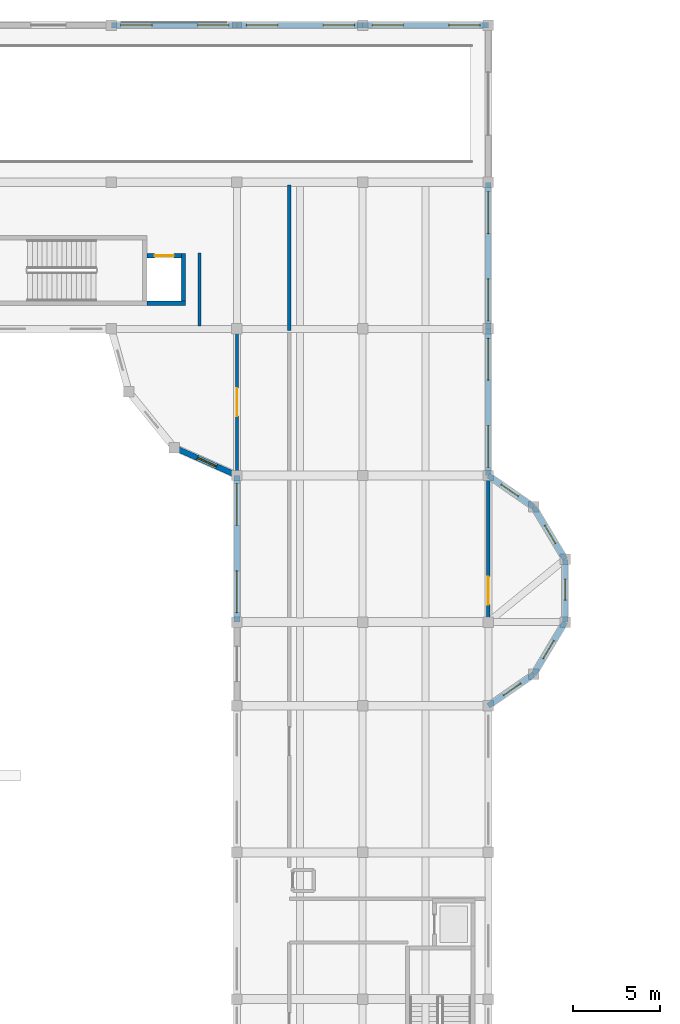
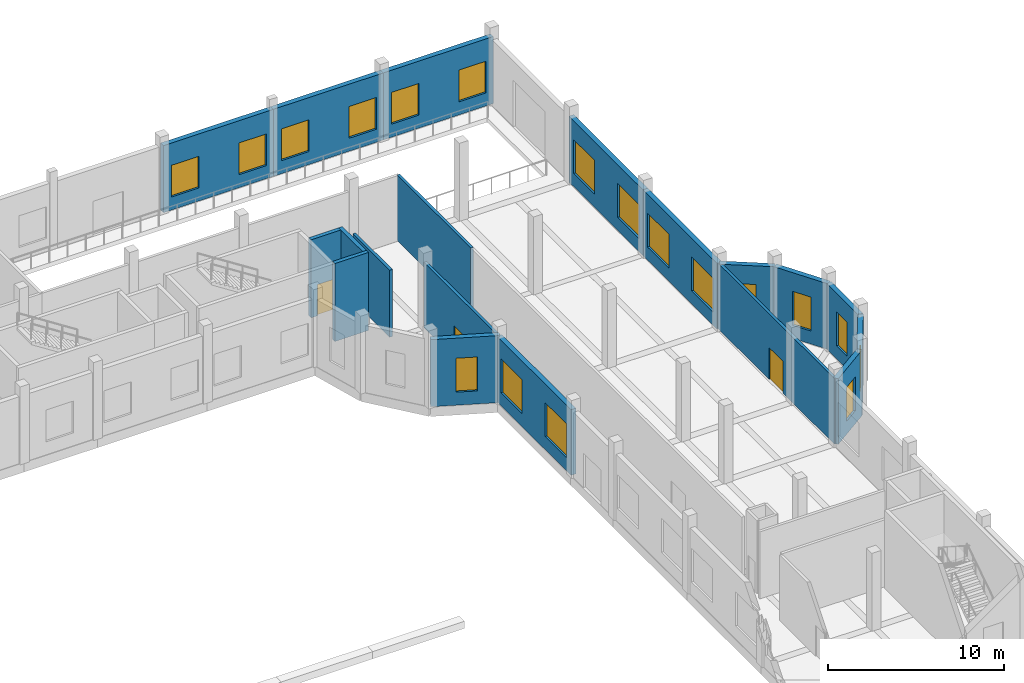
# One storey, part 25 of 41: 19 walls, 18 windows, 3 doors, 21 openings.
"""IFC4 building model written with IfcOpenShell, lengths in metres."""

from ifc_helpers import new_model, si_unit, direction, frame, frame_2d, origin, place, context, subcontext, project, spatial, rectangle, extrude, material, layer, layer_set, type_object, element, fill, save


model = new_model("IFC4")

# Units and contexts
model_context = context("Model", 3, precision=1e-05, world=origin(), true_north=direction((0.0, 1.0)))
body_context = subcontext(model_context, "Body", "Model", "MODEL_VIEW")
ifc_project = project(units=[si_unit("LENGTHUNIT", "METRE"), si_unit("AREAUNIT", "SQUARE_METRE"), si_unit("VOLUMEUNIT", "CUBIC_METRE"), si_unit("PLANEANGLEUNIT", "RADIAN"), si_unit("MASSUNIT", "GRAM", prefix="KILO")], contexts=[model_context])

# Site, building, storey
site_placement = place(None, origin())
site = spatial("IfcSite", under=ifc_project, at=site_placement, CompositionType="ELEMENT")
building_placement = place(site_placement, origin())
building = spatial("IfcBuilding", under=site, at=building_placement, Name="Kahlenmark Community Centre", CompositionType="ELEMENT")
storey_placement = place(building_placement, origin())
storey = spatial("IfcBuildingStorey", under=building, at=storey_placement, Name="L00", CompositionType="ELEMENT", Elevation=0.0)

# Walls
ifc_material_1 = material(Name="Concrete C35/45", Category="concrete")
ifc_layer_1 = layer(ifc_material_1, 0.25)
ifc_layer_set_1 = layer_set([ifc_layer_1], Name="Concrete C35/45")
wall_type_1 = type_object("IfcWallType", Name="WT-CORE-250", PredefinedType="SHEAR", material=ifc_layer_set_1)
wall_1_placement = place(storey_placement, frame((67.25, 99.074951171875, 0.0), z_axis=(0.0, 0.0, 1.0), x_axis=(1.0, 0.0, 0.0)))
element("IfcWall", 1, at=wall_1_placement, inside=storey, type_object=wall_type_1, Name="Core K5 shear wall WL-CORE-K5-L00-0159", PredefinedType="SHEAR", context=body_context, shape_type="SweptSolid", body=[
    extrude(rectangle(XDim=2.2099609375, YDim=0.25, at=frame_2d((1.10498046875, 0.0))), origin(), (0.0, 0.0, 1.0), 5.39990234375),
])
wall_2_placement = place(storey_placement, frame((69.3349609375, 98.949951171875, 0.0), z_axis=(0.0, 0.0, 1.0), x_axis=(0.0, 1.0, 0.0)))
element("IfcWall", 2, at=wall_2_placement, inside=storey, type_object=wall_type_1, Name="Core K5 shear wall WL-CORE-K5-L00-0160", PredefinedType="SHEAR", context=body_context, shape_type="SweptSolid", body=[
    extrude(rectangle(XDim=2.9599609375, YDim=0.25, at=frame_2d((1.47998046875, 0.0))), origin(), (0.0, 0.0, 1.0), 5.39990234375),
])

# Wall, opening, door
wall_3_placement = place(storey_placement, frame((67.25, 101.784912109375, 0.0), z_axis=(0.0, 0.0, 1.0), x_axis=(1.0, 0.0, 0.0)))
wall_3 = element("IfcWall", 3, at=wall_3_placement, inside=storey, type_object=wall_type_1, Name="Core K5 shear wall WL-CORE-K5-L00-0161", PredefinedType="SHEAR", context=body_context, shape_type="SweptSolid", body=[
    extrude(rectangle(XDim=1.9599609375, YDim=0.25, at=frame_2d((0.97998046875, 0.0))), origin(), (0.0, 0.0, 1.0), 5.39990234375),
])
opening_1_placement = place(wall_3_placement, frame((0.429931640625, 0.0, -0.010009765625)))
opening_1 = element("IfcOpeningElement", 4, at=opening_1_placement, cuts=wall_3, Name="Opening LD-5", PredefinedType="OPENING", context=body_context, shape_type="SweptSolid", body=[
    extrude(rectangle(XDim=1.10009765625, YDim=2.159912109375, at=frame_2d((0.550048828125, 1.080078125))), frame((0.0, 0.135009765625, 0.0), z_axis=(0.0, -1.0, 0.0), x_axis=(1.0, 0.0, 0.0)), (0.0, 0.0, 1.0), 0.27001953125),
])
ifc_material_2 = material(Name="Brushed stainless steel sliding lift landing door", Category="steel")
door_type_1 = type_object("IfcDoorType", Name="DT-LD-K5", OperationType="SLIDING_TO_LEFT", PredefinedType="DOOR", material=ifc_material_2)
door_1_placement = place(opening_1_placement, frame((0.0, 0.0, 0.010009765625)))
door_1 = element("IfcDoor", 5, at=door_1_placement, inside=storey, type_object=door_type_1, Name="Lift LF-05 sliding landing door L00", OperationType="SLIDING_TO_LEFT", OverallHeight=2.14990234375, OverallWidth=1.10009765625, PredefinedType="DOOR", context=body_context, shape_type="SweptSolid", body=[
    extrude(rectangle(XDim=1.10009765625, YDim=2.14990234375, at=frame_2d((0.550048828125, 1.074951171875))), frame((0.0, 0.02490234375, 0.0), z_axis=(0.0, -1.0, 0.0), x_axis=(1.0, 0.0, 0.0)), (0.0, 0.0, 1.0), 0.050048828125),
])
fill(opening_1, door_1)

# Wall, openings, windows
ifc_material_3 = material(Name="Danube limestone masonry", Category="masonry")
ifc_layer_2 = layer(ifc_material_3, 0.320068359375)
ifc_layer_set_2 = layer_set([ifc_layer_2], Name="Danube limestone masonry")
wall_type_2 = type_object("IfcWallType", Name="WT-EW-320", PredefinedType="SOLIDWALL", material=ifc_layer_set_2)
wall_4_placement = place(storey_placement, frame((72.39990234375, 115.0, 0.0), z_axis=(0.0, 0.0, 1.0), x_axis=(-1.0, 0.0, 0.0)))
wall_4 = element("IfcWall", 6, at=wall_4_placement, inside=storey, type_object=wall_type_2, Name="Exterior wall WL-EXT-L00-0195", PredefinedType="SOLIDWALL", context=body_context, shape_type="SweptSolid", body=[
    extrude(rectangle(XDim=7.199951171875, YDim=0.320068359375, at=frame_2d((3.60009765625, 0.0))), origin(), (0.0, 0.0, 1.0), 4.639892578125),
])
opening_2_placement = place(wall_4_placement, frame((0.4599609375, 0.0, 0.89990234375)))
opening_2 = element("IfcOpeningElement", 7, at=opening_2_placement, cuts=wall_4, Name="Opening W-180X220", PredefinedType="OPENING", context=body_context, shape_type="SweptSolid", body=[
    extrude(rectangle(XDim=1.800048828125, YDim=2.199951171875, at=frame_2d((0.89990234375, 1.10009765625))), frame((0.0, 0.169921875, 0.0), z_axis=(0.0, -1.0, 0.0), x_axis=(1.0, 0.0, 0.0)), (0.0, 0.0, 1.0), 0.340087890625),
])
opening_3_placement = place(wall_4_placement, frame((4.860107421875, 0.0, 0.89990234375)))
opening_3 = element("IfcOpeningElement", 8, at=opening_3_placement, cuts=wall_4, Name="Opening W-180X220", PredefinedType="OPENING", context=body_context, shape_type="SweptSolid", body=[
    extrude(rectangle(XDim=1.800048828125, YDim=2.199951171875, at=frame_2d((0.89990234375, 1.10009765625))), frame((0.0, 0.169921875, 0.0), z_axis=(0.0, -1.0, 0.0), x_axis=(1.0, 0.0, 0.0)), (0.0, 0.0, 1.0), 0.340087890625),
])
ifc_material_4 = material(Name="Triple low-e insulated glazing in timber-aluminium frame", Category="wood")
window_type_1 = type_object("IfcWindowType", Name="WNT-180X220", PartitioningType="DOUBLE_PANEL_VERTICAL", PredefinedType="WINDOW", material=ifc_material_4)
window_1_placement = place(opening_2_placement, origin())
window_1 = element("IfcWindow", 9, at=window_1_placement, inside=storey, type_object=window_type_1, Name="Window W-180X220 #0088", OverallHeight=2.199951171875, OverallWidth=1.800048828125, PartitioningType="DOUBLE_PANEL_VERTICAL", PredefinedType="WINDOW", context=body_context, shape_type="SweptSolid", body=[
    extrude(rectangle(XDim=1.800048828125, YDim=2.199951171875, at=frame_2d((0.89990234375, 1.10009765625))), frame((0.0, 0.030029296875, 0.0), z_axis=(0.0, -1.0, 0.0), x_axis=(1.0, 0.0, 0.0)), (0.0, 0.0, 1.0), 0.06005859375),
])
fill(opening_2, window_1)
window_2_placement = place(opening_3_placement, origin())
window_2 = element("IfcWindow", 10, at=window_2_placement, inside=storey, type_object=window_type_1, Name="Window W-180X220 #0089", OverallHeight=2.199951171875, OverallWidth=1.800048828125, PartitioningType="DOUBLE_PANEL_VERTICAL", PredefinedType="WINDOW", context=body_context, shape_type="SweptSolid", body=[
    extrude(rectangle(XDim=1.800048828125, YDim=2.199951171875, at=frame_2d((0.89990234375, 1.10009765625))), frame((0.0, 0.030029296875, 0.0), z_axis=(0.0, -1.0, 0.0), x_axis=(1.0, 0.0, 0.0)), (0.0, 0.0, 1.0), 0.06005859375),
])
fill(opening_3, window_2)

wall_5_placement = place(storey_placement, frame((79.60009765625, 115.0, 0.0), z_axis=(0.0, 0.0, 1.0), x_axis=(-1.0, 0.0, 0.0)))
wall_5 = element("IfcWall", 11, at=wall_5_placement, inside=storey, type_object=wall_type_2, Name="Exterior wall WL-EXT-L00-0196", PredefinedType="SOLIDWALL", context=body_context, shape_type="SweptSolid", body=[
    extrude(rectangle(XDim=7.2001953125, YDim=0.320068359375, at=frame_2d((3.60009765625, 0.0))), origin(), (0.0, 0.0, 1.0), 4.639892578125),
])
opening_4_placement = place(wall_5_placement, frame((0.4599609375, 0.0, 0.89990234375)))
opening_4 = element("IfcOpeningElement", 12, at=opening_4_placement, cuts=wall_5, Name="Opening W-180X220", PredefinedType="OPENING", context=body_context, shape_type="SweptSolid", body=[
    extrude(rectangle(XDim=1.800048828125, YDim=2.199951171875, at=frame_2d((0.89990234375, 1.10009765625))), frame((0.0, 0.169921875, 0.0), z_axis=(0.0, -1.0, 0.0), x_axis=(1.0, 0.0, 0.0)), (0.0, 0.0, 1.0), 0.340087890625),
])
opening_5_placement = place(wall_5_placement, frame((4.860107421875, 0.0, 0.89990234375)))
opening_5 = element("IfcOpeningElement", 13, at=opening_5_placement, cuts=wall_5, Name="Opening W-180X220", PredefinedType="OPENING", context=body_context, shape_type="SweptSolid", body=[
    extrude(rectangle(XDim=1.800048828125, YDim=2.199951171875, at=frame_2d((0.89990234375, 1.10009765625))), frame((0.0, 0.169921875, 0.0), z_axis=(0.0, -1.0, 0.0), x_axis=(1.0, 0.0, 0.0)), (0.0, 0.0, 1.0), 0.340087890625),
])
window_3_placement = place(opening_4_placement, origin())
window_3 = element("IfcWindow", 14, at=window_3_placement, inside=storey, type_object=window_type_1, Name="Window W-180X220 #0090", OverallHeight=2.199951171875, OverallWidth=1.800048828125, PartitioningType="DOUBLE_PANEL_VERTICAL", PredefinedType="WINDOW", context=body_context, shape_type="SweptSolid", body=[
    extrude(rectangle(XDim=1.800048828125, YDim=2.199951171875, at=frame_2d((0.89990234375, 1.10009765625))), frame((0.0, 0.030029296875, 0.0), z_axis=(0.0, -1.0, 0.0), x_axis=(1.0, 0.0, 0.0)), (0.0, 0.0, 1.0), 0.06005859375),
])
fill(opening_4, window_3)
window_4_placement = place(opening_5_placement, origin())
window_4 = element("IfcWindow", 15, at=window_4_placement, inside=storey, type_object=window_type_1, Name="Window W-180X220 #0091", OverallHeight=2.199951171875, OverallWidth=1.800048828125, PartitioningType="DOUBLE_PANEL_VERTICAL", PredefinedType="WINDOW", context=body_context, shape_type="SweptSolid", body=[
    extrude(rectangle(XDim=1.800048828125, YDim=2.199951171875, at=frame_2d((0.89990234375, 1.10009765625))), frame((0.0, 0.030029296875, 0.0), z_axis=(0.0, -1.0, 0.0), x_axis=(1.0, 0.0, 0.0)), (0.0, 0.0, 1.0), 0.06005859375),
])
fill(opening_5, window_4)

wall_6_placement = place(storey_placement, frame((86.800048828125, 115.0, 0.0), z_axis=(0.0, 0.0, 1.0), x_axis=(-1.0, 0.0, 0.0)))
wall_6 = element("IfcWall", 16, at=wall_6_placement, inside=storey, type_object=wall_type_2, Name="Exterior wall WL-EXT-L00-0197", PredefinedType="SOLIDWALL", context=body_context, shape_type="SweptSolid", body=[
    extrude(rectangle(XDim=7.199951171875, YDim=0.320068359375, at=frame_2d((3.60009765625, 0.0))), origin(), (0.0, 0.0, 1.0), 4.639892578125),
])
opening_6_placement = place(wall_6_placement, frame((0.4599609375, 0.0, 0.89990234375)))
opening_6 = element("IfcOpeningElement", 17, at=opening_6_placement, cuts=wall_6, Name="Opening W-180X220", PredefinedType="OPENING", context=body_context, shape_type="SweptSolid", body=[
    extrude(rectangle(XDim=1.800048828125, YDim=2.199951171875, at=frame_2d((0.89990234375, 1.10009765625))), frame((0.0, 0.169921875, 0.0), z_axis=(0.0, -1.0, 0.0), x_axis=(1.0, 0.0, 0.0)), (0.0, 0.0, 1.0), 0.340087890625),
])
opening_7_placement = place(wall_6_placement, frame((4.860107421875, 0.0, 0.89990234375)))
opening_7 = element("IfcOpeningElement", 18, at=opening_7_placement, cuts=wall_6, Name="Opening W-180X220", PredefinedType="OPENING", context=body_context, shape_type="SweptSolid", body=[
    extrude(rectangle(XDim=1.800048828125, YDim=2.199951171875, at=frame_2d((0.89990234375, 1.10009765625))), frame((0.0, 0.169921875, 0.0), z_axis=(0.0, -1.0, 0.0), x_axis=(1.0, 0.0, 0.0)), (0.0, 0.0, 1.0), 0.340087890625),
])
window_5_placement = place(opening_6_placement, origin())
window_5 = element("IfcWindow", 19, at=window_5_placement, inside=storey, type_object=window_type_1, Name="Window W-180X220 #0092", OverallHeight=2.199951171875, OverallWidth=1.800048828125, PartitioningType="DOUBLE_PANEL_VERTICAL", PredefinedType="WINDOW", context=body_context, shape_type="SweptSolid", body=[
    extrude(rectangle(XDim=1.800048828125, YDim=2.199951171875, at=frame_2d((0.89990234375, 1.10009765625))), frame((0.0, 0.030029296875, 0.0), z_axis=(0.0, -1.0, 0.0), x_axis=(1.0, 0.0, 0.0)), (0.0, 0.0, 1.0), 0.06005859375),
])
fill(opening_6, window_5)
window_6_placement = place(opening_7_placement, origin())
window_6 = element("IfcWindow", 20, at=window_6_placement, inside=storey, type_object=window_type_1, Name="Window W-180X220 #0093", OverallHeight=2.199951171875, OverallWidth=1.800048828125, PartitioningType="DOUBLE_PANEL_VERTICAL", PredefinedType="WINDOW", context=body_context, shape_type="SweptSolid", body=[
    extrude(rectangle(XDim=1.800048828125, YDim=2.199951171875, at=frame_2d((0.89990234375, 1.10009765625))), frame((0.0, 0.030029296875, 0.0), z_axis=(0.0, -1.0, 0.0), x_axis=(1.0, 0.0, 0.0)), (0.0, 0.0, 1.0), 0.06005859375),
])
fill(opening_7, window_6)

wall_7_placement = place(storey_placement, frame((86.800048828125, 97.60009765625, 0.0), z_axis=(0.0, 0.0, 1.0), x_axis=(0.0, 1.0, 0.0)))
wall_7 = element("IfcWall", 21, at=wall_7_placement, inside=storey, type_object=wall_type_2, Name="Exterior wall WL-EXT-L00-0200", PredefinedType="SOLIDWALL", context=body_context, shape_type="SweptSolid", body=[
    extrude(rectangle(XDim=8.39990234375, YDim=0.320068359375, at=frame_2d((4.199951171875, 0.0))), origin(), (0.0, 0.0, 1.0), 4.5400390625),
])
opening_8_placement = place(wall_7_placement, frame((0.4599609375, 0.0, 0.89990234375)))
opening_8 = element("IfcOpeningElement", 22, at=opening_8_placement, cuts=wall_7, Name="Opening W-240X235", PredefinedType="OPENING", context=body_context, shape_type="SweptSolid", body=[
    extrude(rectangle(XDim=2.39990234375, YDim=2.35009765625, at=frame_2d((1.199951171875, 1.175048828125))), frame((0.0, 0.169921875, 0.0), z_axis=(0.0, -1.0, 0.0), x_axis=(1.0, 0.0, 0.0)), (0.0, 0.0, 1.0), 0.340087890625),
])
opening_9_placement = place(wall_7_placement, frame((5.4599609375, 0.0, 0.89990234375)))
opening_9 = element("IfcOpeningElement", 23, at=opening_9_placement, cuts=wall_7, Name="Opening W-240X235", PredefinedType="OPENING", context=body_context, shape_type="SweptSolid", body=[
    extrude(rectangle(XDim=2.39990234375, YDim=2.35009765625, at=frame_2d((1.199951171875, 1.175048828125))), frame((0.0, 0.169921875, 0.0), z_axis=(0.0, -1.0, 0.0), x_axis=(1.0, 0.0, 0.0)), (0.0, 0.0, 1.0), 0.340087890625),
])
window_type_2 = type_object("IfcWindowType", Name="WNT-240X235", PartitioningType="TRIPLE_PANEL_VERTICAL", PredefinedType="WINDOW", material=ifc_material_4)
window_7_placement = place(opening_8_placement, origin())
window_7 = element("IfcWindow", 24, at=window_7_placement, inside=storey, type_object=window_type_2, Name="Window W-240X235 #0097", OverallHeight=2.35009765625, OverallWidth=2.39990234375, PartitioningType="TRIPLE_PANEL_VERTICAL", PredefinedType="WINDOW", context=body_context, shape_type="SweptSolid", body=[
    extrude(rectangle(XDim=2.39990234375, YDim=2.35009765625, at=frame_2d((1.199951171875, 1.175048828125))), frame((0.0, 0.030029296875, 0.0), z_axis=(0.0, -1.0, 0.0), x_axis=(1.0, 0.0, 0.0)), (0.0, 0.0, 1.0), 0.06005859375),
])
fill(opening_8, window_7)
window_8_placement = place(opening_9_placement, origin())
window_8 = element("IfcWindow", 25, at=window_8_placement, inside=storey, type_object=window_type_2, Name="Window W-240X235 #0098", OverallHeight=2.35009765625, OverallWidth=2.39990234375, PartitioningType="TRIPLE_PANEL_VERTICAL", PredefinedType="WINDOW", context=body_context, shape_type="SweptSolid", body=[
    extrude(rectangle(XDim=2.39990234375, YDim=2.35009765625, at=frame_2d((1.199951171875, 1.175048828125))), frame((0.0, 0.030029296875, 0.0), z_axis=(0.0, -1.0, 0.0), x_axis=(1.0, 0.0, 0.0)), (0.0, 0.0, 1.0), 0.06005859375),
])
fill(opening_9, window_8)

wall_8_placement = place(storey_placement, frame((72.39990234375, 89.199951171875, 0.0), z_axis=(0.0, 0.0, 1.0), x_axis=(0.0, -1.0, 0.0)))
wall_8 = element("IfcWall", 26, at=wall_8_placement, inside=storey, type_object=wall_type_2, Name="Exterior wall WL-EXT-L00-0208", PredefinedType="SOLIDWALL", context=body_context, shape_type="SweptSolid", body=[
    extrude(rectangle(XDim=8.39990234375, YDim=0.320068359375, at=frame_2d((4.199951171875, 0.0))), origin(), (0.0, 0.0, 1.0), 4.5400390625),
])
opening_10_placement = place(wall_8_placement, frame((0.4599609375, 0.0, 0.89990234375)))
opening_10 = element("IfcOpeningElement", 27, at=opening_10_placement, cuts=wall_8, Name="Opening W-240X235", PredefinedType="OPENING", context=body_context, shape_type="SweptSolid", body=[
    extrude(rectangle(XDim=2.39990234375, YDim=2.35009765625, at=frame_2d((1.199951171875, 1.175048828125))), frame((0.0, 0.169921875, 0.0), z_axis=(0.0, -1.0, 0.0), x_axis=(1.0, 0.0, 0.0)), (0.0, 0.0, 1.0), 0.340087890625),
])
opening_11_placement = place(wall_8_placement, frame((5.4599609375, 0.0, 0.89990234375)))
opening_11 = element("IfcOpeningElement", 28, at=opening_11_placement, cuts=wall_8, Name="Opening W-240X235", PredefinedType="OPENING", context=body_context, shape_type="SweptSolid", body=[
    extrude(rectangle(XDim=2.39990234375, YDim=2.35009765625, at=frame_2d((1.199951171875, 1.175048828125))), frame((0.0, 0.169921875, 0.0), z_axis=(0.0, -1.0, 0.0), x_axis=(1.0, 0.0, 0.0)), (0.0, 0.0, 1.0), 0.340087890625),
])
window_9_placement = place(opening_10_placement, origin())
window_9 = element("IfcWindow", 29, at=window_9_placement, inside=storey, type_object=window_type_2, Name="Window W-240X235 #0109", OverallHeight=2.35009765625, OverallWidth=2.39990234375, PartitioningType="TRIPLE_PANEL_VERTICAL", PredefinedType="WINDOW", context=body_context, shape_type="SweptSolid", body=[
    extrude(rectangle(XDim=2.39990234375, YDim=2.35009765625, at=frame_2d((1.199951171875, 1.175048828125))), frame((0.0, 0.030029296875, 0.0), z_axis=(0.0, -1.0, 0.0), x_axis=(1.0, 0.0, 0.0)), (0.0, 0.0, 1.0), 0.06005859375),
])
fill(opening_10, window_9)
window_10_placement = place(opening_11_placement, origin())
window_10 = element("IfcWindow", 30, at=window_10_placement, inside=storey, type_object=window_type_2, Name="Window W-240X235 #0110", OverallHeight=2.35009765625, OverallWidth=2.39990234375, PartitioningType="TRIPLE_PANEL_VERTICAL", PredefinedType="WINDOW", context=body_context, shape_type="SweptSolid", body=[
    extrude(rectangle(XDim=2.39990234375, YDim=2.35009765625, at=frame_2d((1.199951171875, 1.175048828125))), frame((0.0, 0.030029296875, 0.0), z_axis=(0.0, -1.0, 0.0), x_axis=(1.0, 0.0, 0.0)), (0.0, 0.0, 1.0), 0.06005859375),
])
fill(opening_11, window_10)

wall_9_placement = place(storey_placement, frame((86.800048828125, 89.199951171875, 0.0), z_axis=(0.0, 0.0, 1.0), x_axis=(0.0, 1.0, 0.0)))
wall_9 = element("IfcWall", 31, at=wall_9_placement, inside=storey, type_object=wall_type_2, Name="Exterior wall WL-EXT-L00-0212", PredefinedType="SOLIDWALL", context=body_context, shape_type="SweptSolid", body=[
    extrude(rectangle(XDim=8.400146484375, YDim=0.320068359375, at=frame_2d((4.2001953125, 0.0))), origin(), (0.0, 0.0, 1.0), 4.5400390625),
])
opening_12_placement = place(wall_9_placement, frame((0.4599609375, 0.0, 0.89990234375)))
opening_12 = element("IfcOpeningElement", 32, at=opening_12_placement, cuts=wall_9, Name="Opening W-240X235", PredefinedType="OPENING", context=body_context, shape_type="SweptSolid", body=[
    extrude(rectangle(XDim=2.39990234375, YDim=2.35009765625, at=frame_2d((1.199951171875, 1.175048828125))), frame((0.0, 0.169921875, 0.0), z_axis=(0.0, -1.0, 0.0), x_axis=(1.0, 0.0, 0.0)), (0.0, 0.0, 1.0), 0.340087890625),
])
opening_13_placement = place(wall_9_placement, frame((5.4599609375, 0.0, 0.89990234375)))
opening_13 = element("IfcOpeningElement", 33, at=opening_13_placement, cuts=wall_9, Name="Opening W-240X235", PredefinedType="OPENING", context=body_context, shape_type="SweptSolid", body=[
    extrude(rectangle(XDim=2.39990234375, YDim=2.35009765625, at=frame_2d((1.199951171875, 1.175048828125))), frame((0.0, 0.169921875, 0.0), z_axis=(0.0, -1.0, 0.0), x_axis=(1.0, 0.0, 0.0)), (0.0, 0.0, 1.0), 0.340087890625),
])
window_11_placement = place(opening_12_placement, origin())
window_11 = element("IfcWindow", 34, at=window_11_placement, inside=storey, type_object=window_type_2, Name="Window W-240X235 #0116", OverallHeight=2.35009765625, OverallWidth=2.39990234375, PartitioningType="TRIPLE_PANEL_VERTICAL", PredefinedType="WINDOW", context=body_context, shape_type="SweptSolid", body=[
    extrude(rectangle(XDim=2.39990234375, YDim=2.35009765625, at=frame_2d((1.199951171875, 1.175048828125))), frame((0.0, 0.030029296875, 0.0), z_axis=(0.0, -1.0, 0.0), x_axis=(1.0, 0.0, 0.0)), (0.0, 0.0, 1.0), 0.06005859375),
])
fill(opening_12, window_11)
window_12_placement = place(opening_13_placement, origin())
window_12 = element("IfcWindow", 35, at=window_12_placement, inside=storey, type_object=window_type_2, Name="Window W-240X235 #0117", OverallHeight=2.35009765625, OverallWidth=2.39990234375, PartitioningType="TRIPLE_PANEL_VERTICAL", PredefinedType="WINDOW", context=body_context, shape_type="SweptSolid", body=[
    extrude(rectangle(XDim=2.39990234375, YDim=2.35009765625, at=frame_2d((1.199951171875, 1.175048828125))), frame((0.0, 0.030029296875, 0.0), z_axis=(0.0, -1.0, 0.0), x_axis=(1.0, 0.0, 0.0)), (0.0, 0.0, 1.0), 0.06005859375),
])
fill(opening_13, window_12)

# Wall, opening, window
wall_10_placement = place(storey_placement, frame((86.800048828125, 76.0, 0.0), z_axis=(0.0, 0.0, 1.0), x_axis=(0.8221699556, 0.569242096219, 0.0)))
wall_10 = element("IfcWall", 36, at=wall_10_placement, inside=storey, type_object=wall_type_2, Name="Rotunda plinth wall WL-ROT-L00-0711", PredefinedType="SOLIDWALL", context=body_context, shape_type="SweptSolid", body=[
    extrude(rectangle(XDim=3.162109375, YDim=0.320068359375, at=frame_2d((1.5810546875, 0.0))), origin(), (0.0, 0.0, 1.0), 4.5400390625),
])
opening_14_placement = place(wall_10_placement, frame((1.06005859375, 0.0, 0.89990234375)))
opening_14 = element("IfcOpeningElement", 37, at=opening_14_placement, cuts=wall_10, Name="Opening W-120X235", PredefinedType="OPENING", context=body_context, shape_type="SweptSolid", body=[
    extrude(rectangle(XDim=1.199951171875, YDim=2.35009765625, at=frame_2d((0.60009765625, 1.175048828125))), frame((0.0, 0.169921875, 0.0), z_axis=(0.0, -1.0, 0.0), x_axis=(1.0, 0.0, 0.0)), (0.0, 0.0, 1.0), 0.340087890625),
])
window_type_3 = type_object("IfcWindowType", Name="WNT-120X235", PartitioningType="SINGLE_PANEL", PredefinedType="WINDOW", material=ifc_material_4)
window_13_placement = place(opening_14_placement, origin())
window_13 = element("IfcWindow", 38, at=window_13_placement, inside=storey, type_object=window_type_3, Name="Window W-120X235 #0495", OverallHeight=2.35009765625, OverallWidth=1.199951171875, PartitioningType="SINGLE_PANEL", PredefinedType="WINDOW", context=body_context, shape_type="SweptSolid", body=[
    extrude(rectangle(XDim=1.199951171875, YDim=2.35009765625, at=frame_2d((0.60009765625, 1.175048828125))), frame((0.0, 0.030029296875, 0.0), z_axis=(0.0, -1.0, 0.0), x_axis=(1.0, 0.0, 0.0)), (0.0, 0.0, 1.0), 0.06005859375),
])
fill(opening_14, window_13)

wall_11_placement = place(storey_placement, frame((89.39990234375, 77.800048828125, 0.0), z_axis=(0.0, 0.0, 1.0), x_axis=(0.514506017516, 0.857486768376, 0.0)))
wall_11 = element("IfcWall", 39, at=wall_11_placement, inside=storey, type_object=wall_type_2, Name="Rotunda plinth wall WL-ROT-L00-0712", PredefinedType="SOLIDWALL", context=body_context, shape_type="SweptSolid", body=[
    extrude(rectangle(XDim=3.49853515625, YDim=0.320068359375, at=frame_2d((1.749267578125, 0.0))), origin(), (0.0, 0.0, 1.0), 4.5400390625),
])
opening_15_placement = place(wall_11_placement, frame((1.06005859375, 0.0, 0.89990234375)))
opening_15 = element("IfcOpeningElement", 40, at=opening_15_placement, cuts=wall_11, Name="Opening W-120X235", PredefinedType="OPENING", context=body_context, shape_type="SweptSolid", body=[
    extrude(rectangle(XDim=1.199951171875, YDim=2.35009765625, at=frame_2d((0.60009765625, 1.175048828125))), frame((0.0, 0.169921875, 0.0), z_axis=(0.0, -1.0, 0.0), x_axis=(1.0, 0.0, 0.0)), (0.0, 0.0, 1.0), 0.340087890625),
])
window_14_placement = place(opening_15_placement, origin())
window_14 = element("IfcWindow", 41, at=window_14_placement, inside=storey, type_object=window_type_3, Name="Window W-120X235 #0496", OverallHeight=2.35009765625, OverallWidth=1.199951171875, PartitioningType="SINGLE_PANEL", PredefinedType="WINDOW", context=body_context, shape_type="SweptSolid", body=[
    extrude(rectangle(XDim=1.199951171875, YDim=2.35009765625, at=frame_2d((0.60009765625, 1.175048828125))), frame((0.0, 0.030029296875, 0.0), z_axis=(0.0, -1.0, 0.0), x_axis=(1.0, 0.0, 0.0)), (0.0, 0.0, 1.0), 0.06005859375),
])
fill(opening_15, window_14)

wall_12_placement = place(storey_placement, frame((91.199951171875, 80.800048828125, 0.0), z_axis=(0.0, 0.0, 1.0), x_axis=(0.0, 1.0, 0.0)))
wall_12 = element("IfcWall", 42, at=wall_12_placement, inside=storey, type_object=wall_type_2, Name="Rotunda plinth wall WL-ROT-L00-0713", PredefinedType="SOLIDWALL", context=body_context, shape_type="SweptSolid", body=[
    extrude(rectangle(XDim=3.599853515625, YDim=0.320068359375, at=frame_2d((1.7998046875, 0.0))), origin(), (0.0, 0.0, 1.0), 4.5400390625),
])
opening_16_placement = place(wall_12_placement, frame((1.260009765625, 0.0, 0.89990234375)))
opening_16 = element("IfcOpeningElement", 43, at=opening_16_placement, cuts=wall_12, Name="Opening W-120X235", PredefinedType="OPENING", context=body_context, shape_type="SweptSolid", body=[
    extrude(rectangle(XDim=1.199951171875, YDim=2.35009765625, at=frame_2d((0.60009765625, 1.175048828125))), frame((0.0, 0.169921875, 0.0), z_axis=(0.0, -1.0, 0.0), x_axis=(1.0, 0.0, 0.0)), (0.0, 0.0, 1.0), 0.340087890625),
])
window_15_placement = place(opening_16_placement, origin())
window_15 = element("IfcWindow", 44, at=window_15_placement, inside=storey, type_object=window_type_3, Name="Window W-120X235 #0497", OverallHeight=2.35009765625, OverallWidth=1.199951171875, PartitioningType="SINGLE_PANEL", PredefinedType="WINDOW", context=body_context, shape_type="SweptSolid", body=[
    extrude(rectangle(XDim=1.199951171875, YDim=2.35009765625, at=frame_2d((0.60009765625, 1.175048828125))), frame((0.0, 0.030029296875, 0.0), z_axis=(0.0, -1.0, 0.0), x_axis=(1.0, 0.0, 0.0)), (0.0, 0.0, 1.0), 0.06005859375),
])
fill(opening_16, window_15)

wall_13_placement = place(storey_placement, frame((91.199951171875, 84.39990234375, 0.0), z_axis=(0.0, 0.0, 1.0), x_axis=(-0.514506017516, 0.857486768376, 0.0)))
wall_13 = element("IfcWall", 45, at=wall_13_placement, inside=storey, type_object=wall_type_2, Name="Rotunda plinth wall WL-ROT-L00-0714", PredefinedType="SOLIDWALL", context=body_context, shape_type="SweptSolid", body=[
    extrude(rectangle(XDim=3.49853515625, YDim=0.320068359375, at=frame_2d((1.749267578125, 0.0))), origin(), (0.0, 0.0, 1.0), 4.5400390625),
])
opening_17_placement = place(wall_13_placement, frame((1.06005859375, 0.0, 0.89990234375)))
opening_17 = element("IfcOpeningElement", 46, at=opening_17_placement, cuts=wall_13, Name="Opening W-120X235", PredefinedType="OPENING", context=body_context, shape_type="SweptSolid", body=[
    extrude(rectangle(XDim=1.199951171875, YDim=2.35009765625, at=frame_2d((0.60009765625, 1.175048828125))), frame((0.0, 0.169921875, 0.0), z_axis=(0.0, -1.0, 0.0), x_axis=(1.0, 0.0, 0.0)), (0.0, 0.0, 1.0), 0.340087890625),
])
window_16_placement = place(opening_17_placement, origin())
window_16 = element("IfcWindow", 47, at=window_16_placement, inside=storey, type_object=window_type_3, Name="Window W-120X235 #0498", OverallHeight=2.35009765625, OverallWidth=1.199951171875, PartitioningType="SINGLE_PANEL", PredefinedType="WINDOW", context=body_context, shape_type="SweptSolid", body=[
    extrude(rectangle(XDim=1.199951171875, YDim=2.35009765625, at=frame_2d((0.60009765625, 1.175048828125))), frame((0.0, 0.030029296875, 0.0), z_axis=(0.0, -1.0, 0.0), x_axis=(1.0, 0.0, 0.0)), (0.0, 0.0, 1.0), 0.06005859375),
])
fill(opening_17, window_16)

wall_14_placement = place(storey_placement, frame((89.39990234375, 87.39990234375, 0.0), z_axis=(0.0, 0.0, 1.0), x_axis=(-0.8221699556, 0.569242096219, 0.0)))
wall_14 = element("IfcWall", 48, at=wall_14_placement, inside=storey, type_object=wall_type_2, Name="Rotunda plinth wall WL-ROT-L00-0715", PredefinedType="SOLIDWALL", context=body_context, shape_type="SweptSolid", body=[
    extrude(rectangle(XDim=3.162109375, YDim=0.320068359375, at=frame_2d((1.5810546875, 0.0))), origin(), (0.0, 0.0, 1.0), 4.5400390625),
])
opening_18_placement = place(wall_14_placement, frame((1.06005859375, 0.0, 0.89990234375)))
opening_18 = element("IfcOpeningElement", 49, at=opening_18_placement, cuts=wall_14, Name="Opening W-120X235", PredefinedType="OPENING", context=body_context, shape_type="SweptSolid", body=[
    extrude(rectangle(XDim=1.199951171875, YDim=2.35009765625, at=frame_2d((0.60009765625, 1.175048828125))), frame((0.0, 0.169921875, 0.0), z_axis=(0.0, -1.0, 0.0), x_axis=(1.0, 0.0, 0.0)), (0.0, 0.0, 1.0), 0.340087890625),
])
window_17_placement = place(opening_18_placement, origin())
window_17 = element("IfcWindow", 50, at=window_17_placement, inside=storey, type_object=window_type_3, Name="Window W-120X235 #0499", OverallHeight=2.35009765625, OverallWidth=1.199951171875, PartitioningType="SINGLE_PANEL", PredefinedType="WINDOW", context=body_context, shape_type="SweptSolid", body=[
    extrude(rectangle(XDim=1.199951171875, YDim=2.35009765625, at=frame_2d((0.60009765625, 1.175048828125))), frame((0.0, 0.030029296875, 0.0), z_axis=(0.0, -1.0, 0.0), x_axis=(1.0, 0.0, 0.0)), (0.0, 0.0, 1.0), 0.06005859375),
])
fill(opening_18, window_17)

wall_15_placement = place(storey_placement, frame((68.800048828125, 90.800048828125, 0.0), z_axis=(0.0, 0.0, 1.0), x_axis=(0.913796214371, -0.40617296636, 0.0)))
wall_15 = element("IfcWall", 51, at=wall_15_placement, inside=storey, type_object=wall_type_2, Name="Rotunda plinth wall WL-ROT-L00-0773", PredefinedType="SOLIDWALL", context=body_context, shape_type="SweptSolid", body=[
    extrude(rectangle(XDim=3.939453125, YDim=0.320068359375, at=frame_2d((1.9697265625, 0.0))), origin(), (0.0, 0.0, 1.0), 4.639892578125),
])
opening_19_placement = place(wall_15_placement, frame((1.4599609375, 0.0, 0.89990234375)))
opening_19 = element("IfcOpeningElement", 52, at=opening_19_placement, cuts=wall_15, Name="Opening W-120X235", PredefinedType="OPENING", context=body_context, shape_type="SweptSolid", body=[
    extrude(rectangle(XDim=1.199951171875, YDim=2.35009765625, at=frame_2d((0.60009765625, 1.175048828125))), frame((0.0, 0.169921875, 0.0), z_axis=(0.0, -1.0, 0.0), x_axis=(1.0, 0.0, 0.0)), (0.0, 0.0, 1.0), 0.340087890625),
])
window_18_placement = place(opening_19_placement, origin())
window_18 = element("IfcWindow", 53, at=window_18_placement, inside=storey, type_object=window_type_3, Name="Window W-120X235 #0502", OverallHeight=2.35009765625, OverallWidth=1.199951171875, PartitioningType="SINGLE_PANEL", PredefinedType="WINDOW", context=body_context, shape_type="SweptSolid", body=[
    extrude(rectangle(XDim=1.199951171875, YDim=2.35009765625, at=frame_2d((0.60009765625, 1.175048828125))), frame((0.0, 0.030029296875, 0.0), z_axis=(0.0, -1.0, 0.0), x_axis=(1.0, 0.0, 0.0)), (0.0, 0.0, 1.0), 0.06005859375),
])
fill(opening_19, window_18)

# Walls
ifc_material_5 = material(Name="Gypsum plasterboard partition", Category="gypsum")
ifc_layer_3 = layer(ifc_material_5, 0.179931640625)
ifc_layer_set_3 = layer_set([ifc_layer_3], Name="Gypsum plasterboard partition")
wall_type_3 = type_object("IfcWallType", Name="WT-PW-180", PredefinedType="PARTITIONING", material=ifc_layer_set_3)
wall_16_placement = place(storey_placement, frame((70.25, 97.760009765625, 0.0), z_axis=(0.0, 0.0, 1.0), x_axis=(0.0, 1.0, 0.0)))
element("IfcWall", 54, at=wall_16_placement, inside=storey, type_object=wall_type_3, Name="Interior partition WL-INT-L00-0074", PredefinedType="PARTITIONING", context=body_context, shape_type="SweptSolid", body=[
    extrude(rectangle(XDim=4.18994140625, YDim=0.179931640625, at=frame_2d((2.094970703125, 0.0))), origin(), (0.0, 0.0, 1.0), 4.639892578125),
])
wall_17_placement = place(storey_placement, frame((75.39990234375, 97.5, 0.0), z_axis=(0.0, 0.0, 1.0), x_axis=(0.0, 1.0, 0.0)))
element("IfcWall", 55, at=wall_17_placement, inside=storey, type_object=wall_type_3, Name="Interior partition WL-INT-L00-0091", PredefinedType="PARTITIONING", context=body_context, shape_type="SweptSolid", body=[
    extrude(rectangle(XDim=8.35009765625, YDim=0.179931640625, at=frame_2d((4.175048828125, 0.0))), origin(), (0.0, 0.0, 1.0), 4.5400390625),
])

# Wall, opening, door
wall_18_placement = place(storey_placement, frame((86.800048828125, 76.0, 0.0), z_axis=(0.0, 0.0, 1.0), x_axis=(0.0, 1.0, 0.0)))
wall_18 = element("IfcWall", 56, at=wall_18_placement, inside=storey, type_object=wall_type_3, Name="Interior partition WL-INT-L00-0092", PredefinedType="PARTITIONING", context=body_context, shape_type="SweptSolid", body=[
    extrude(rectangle(XDim=13.199951171875, YDim=0.179931640625, at=frame_2d((6.60009765625, 0.0))), origin(), (0.0, 0.0, 1.0), 4.5400390625),
])
opening_20_placement = place(wall_18_placement, frame((5.800048828125, 0.0, -0.010009765625)))
opening_20 = element("IfcOpeningElement", 57, at=opening_20_placement, cuts=wall_18, Name="Opening D-L00-055", PredefinedType="OPENING", context=body_context, shape_type="SweptSolid", body=[
    extrude(rectangle(XDim=1.60009765625, YDim=2.2099609375, at=frame_2d((0.800048828125, 1.10498046875))), frame((0.0, 0.099853515625, 0.0), z_axis=(0.0, -1.0, 0.0), x_axis=(1.0, 0.0, 0.0)), (0.0, 0.0, 1.0), 0.199951171875),
])
ifc_material_6 = material(Name="Oak double-leaf acoustic door")
door_type_2 = type_object("IfcDoorType", Name="DT-DBL-160X220", OperationType="NOTDEFINED", PredefinedType="DOOR", material=ifc_material_6)
door_2_placement = place(opening_20_placement, frame((0.0, 0.0, 0.010009765625)))
door_2 = element("IfcDoor", 58, at=door_2_placement, inside=storey, type_object=door_type_2, Name="Interior door D-L00-055", OperationType="DOUBLE_SWING_LEFT", OverallHeight=2.199951171875, OverallWidth=1.60009765625, PredefinedType="DOOR", context=body_context, shape_type="SweptSolid", body=[
    extrude(rectangle(XDim=1.60009765625, YDim=2.199951171875, at=frame_2d((0.800048828125, 1.10009765625))), frame((0.0, 0.02490234375, 0.0), z_axis=(0.0, -1.0, 0.0), x_axis=(1.0, 0.0, 0.0)), (0.0, 0.0, 1.0), 0.050048828125),
])
fill(opening_20, door_2)

wall_19_placement = place(storey_placement, frame((72.39990234375, 89.199951171875, 0.0), z_axis=(0.0, 0.0, 1.0), x_axis=(0.0, 1.0, 0.0)))
wall_19 = element("IfcWall", 59, at=wall_19_placement, inside=storey, type_object=wall_type_3, Name="Interior partition WL-INT-L00-0093", PredefinedType="PARTITIONING", context=body_context, shape_type="SweptSolid", body=[
    extrude(rectangle(XDim=8.400146484375, YDim=0.179931640625, at=frame_2d((4.2001953125, 0.0))), origin(), (0.0, 0.0, 1.0), 4.5400390625),
])
opening_21_placement = place(wall_19_placement, frame((3.39990234375, 0.0, -0.010009765625)))
opening_21 = element("IfcOpeningElement", 60, at=opening_21_placement, cuts=wall_19, Name="Opening D-L00-056", PredefinedType="OPENING", context=body_context, shape_type="SweptSolid", body=[
    extrude(rectangle(XDim=1.60009765625, YDim=2.2099609375, at=frame_2d((0.800048828125, 1.10498046875))), frame((0.0, 0.099853515625, 0.0), z_axis=(0.0, -1.0, 0.0), x_axis=(1.0, 0.0, 0.0)), (0.0, 0.0, 1.0), 0.199951171875),
])
door_3_placement = place(opening_21_placement, frame((0.0, 0.0, 0.010009765625)))
door_3 = element("IfcDoor", 61, at=door_3_placement, inside=storey, type_object=door_type_2, Name="Interior door D-L00-056", OperationType="DOUBLE_SWING_LEFT", OverallHeight=2.199951171875, OverallWidth=1.60009765625, PredefinedType="DOOR", context=body_context, shape_type="SweptSolid", body=[
    extrude(rectangle(XDim=1.60009765625, YDim=2.199951171875, at=frame_2d((0.800048828125, 1.10009765625))), frame((0.0, 0.02490234375, 0.0), z_axis=(0.0, -1.0, 0.0), x_axis=(1.0, 0.0, 0.0)), (0.0, 0.0, 1.0), 0.050048828125),
])
fill(opening_21, door_3)

save(model, "model.ifc")
